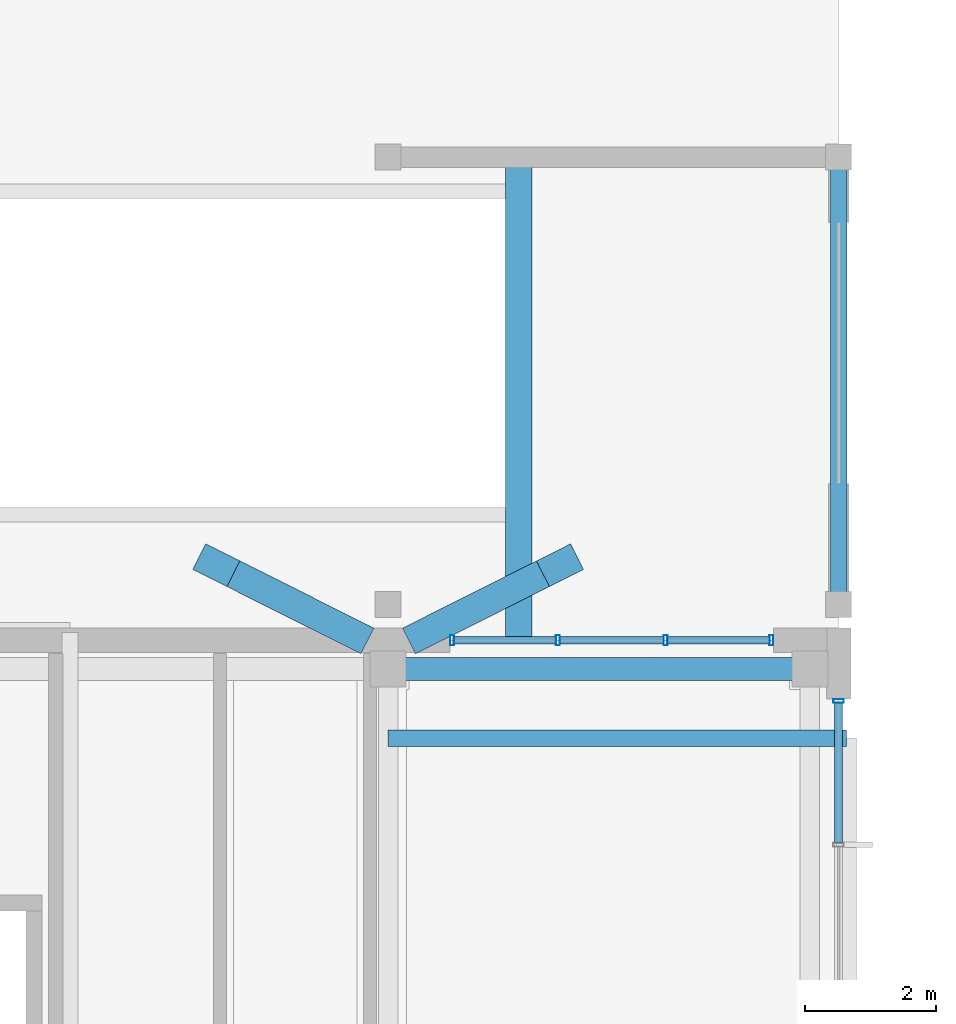
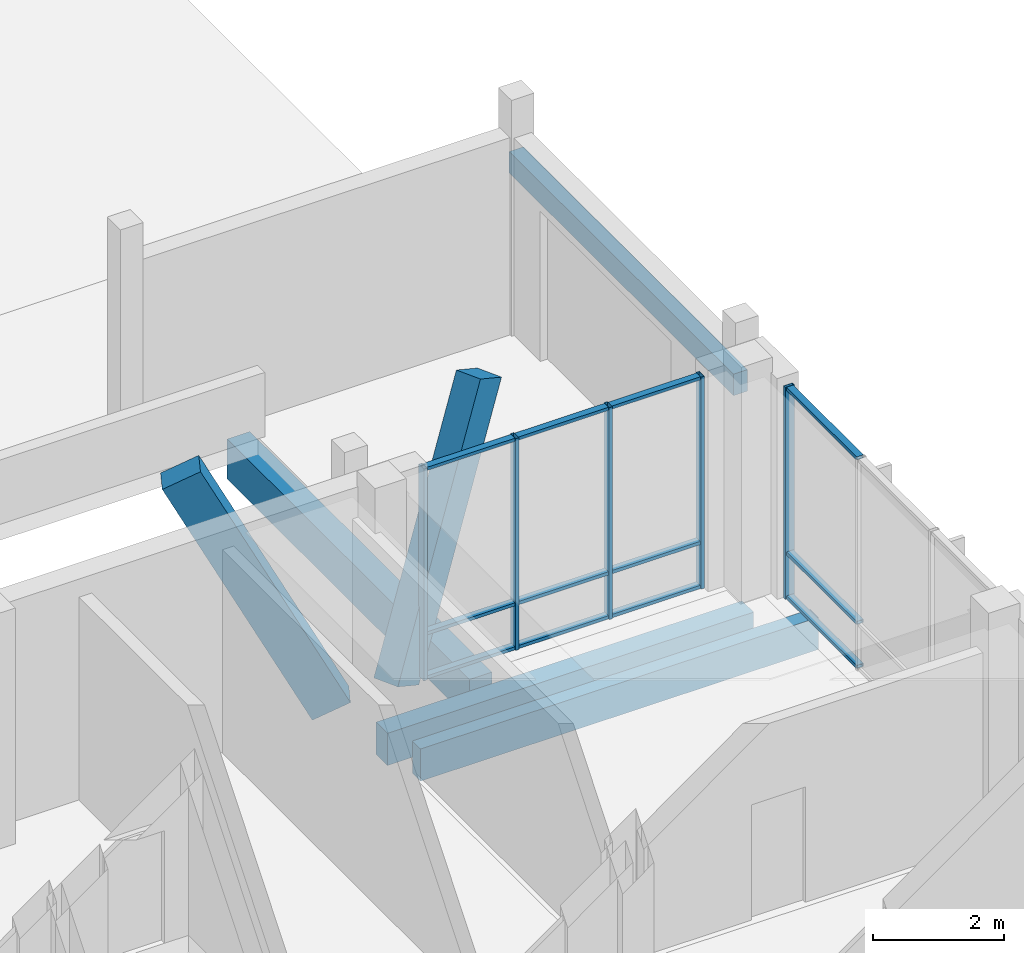
# One storey, part 148 of 233: 19 members, 4 beams, 2 elements without a shape of their own.
"""IFC4 building model written with IfcOpenShell, lengths in metres."""

from ifc_helpers import new_model, si_unit, direction, frame, origin, origin_2d, place, context, subcontext, project, spatial, rectangle, hollow_rectangle, extrude, material, material_profile, profile_set, type_object, element, aggregate, save


model = new_model("IFC4")

# Units and contexts
model_context = context("Model", 3, precision=1e-05, world=origin(), true_north=direction((0.0, 1.0)))
body_context = subcontext(model_context, "Body", "Model", "MODEL_VIEW")
ifc_project = project(units=[si_unit("LENGTHUNIT", "METRE"), si_unit("AREAUNIT", "SQUARE_METRE"), si_unit("VOLUMEUNIT", "CUBIC_METRE"), si_unit("PLANEANGLEUNIT", "RADIAN"), si_unit("MASSUNIT", "GRAM", prefix="KILO")], contexts=[model_context])

# Site, building, storey
site_placement = place(None, origin())
site = spatial("IfcSite", under=ifc_project, at=site_placement, CompositionType="ELEMENT")
building_placement = place(site_placement, origin())
building = spatial("IfcBuilding", under=site, at=building_placement, Name="Zavelmont Quarter", CompositionType="ELEMENT")
storey_placement = place(building_placement, origin())
storey = spatial("IfcBuildingStorey", under=building, at=storey_placement, Name="L00", CompositionType="ELEMENT", Elevation=0.0)

# Beams
ifc_material_1 = material(Name="Concrete C35/45", Category="concrete")
ifc_material_profile_1 = material_profile(ifc_material_1, rectangle(XDim=0.35009765625, YDim=0.60009765625, at=origin_2d()), Name="RC350X600")
ifc_profile_set_1 = profile_set([ifc_material_profile_1], Name="Concrete C35/45")
beam_type_1 = type_object("IfcBeamType", Name="BM01", PredefinedType="SPANDREL", material=ifc_profile_set_1)
beam_1_placement = place(storey_placement, frame((161.10009765625, 17.9599609375, -0.6201171875), z_axis=(1.0, 0.0, 0.0), x_axis=(0.0, 1.0, 0.0)))
element("IfcBeam", 1, at=beam_1_placement, inside=storey, type_object=beam_type_1, Name="L00 beam BM01 24/D to 25/D", PredefinedType="SPANDREL", context=body_context, shape_type="SweptSolid", body=[
    extrude(rectangle(XDim=0.35009765625, YDim=0.60009765625, at=origin_2d()), origin(), (0.0, 0.0, 1.0), 6.4599609375),
])
ifc_material_profile_2 = material_profile(ifc_material_1, rectangle(XDim=0.25, YDim=0.39990234375, at=origin_2d()), Name="RC250X400")
ifc_profile_set_2 = profile_set([ifc_material_profile_2], Name="Concrete C35/45")
beam_type_2 = type_object("IfcBeamType", Name="BM04", PredefinedType="LINTEL", material=ifc_profile_set_2)
beam_2_placement = place(storey_placement, frame((168.0, 18.949951171875, 3.10009765625), z_axis=(0.0, 1.0, 0.0), x_axis=(-1.0, 0.0, 0.0)))
element("IfcBeam", 2, at=beam_2_placement, inside=storey, type_object=beam_type_2, Name="L00 beam BM04 25/D to 25/E", PredefinedType="LINTEL", context=body_context, shape_type="SweptSolid", body=[
    extrude(rectangle(XDim=0.25, YDim=0.39990234375, at=origin_2d()), origin(), (0.0, 0.0, 1.0), 6.85009765625),
])
ifc_material_2 = material(Name="Concrete C40/50", Category="concrete")
ifc_material_profile_3 = material_profile(ifc_material_2, rectangle(XDim=0.39990234375, YDim=0.75, at=origin_2d()), Name="RC400X750")
ifc_profile_set_3 = profile_set([ifc_material_profile_3], Name="Concrete C40/50")
beam_type_3 = type_object("IfcBeamType", Name="BM05", PredefinedType="BEAM", material=ifc_profile_set_3)
beam_3_placement = place(storey_placement, frame((163.10009765625, 18.39990234375, -0.695068359375), z_axis=(0.0, 1.0, 0.0), x_axis=(-1.0, 0.0, 0.0)))
element("IfcBeam", 3, at=beam_3_placement, inside=storey, type_object=beam_type_3, Name="L00 beam BM05 24/D to 24/E", PredefinedType="BEAM", context=body_context, shape_type="SweptSolid", body=[
    extrude(rectangle(XDim=0.39990234375, YDim=0.75, at=origin_2d()), origin(), (0.0, 0.0, 1.0), 7.400146484375),
])
ifc_material_profile_4 = material_profile(ifc_material_2, rectangle(XDim=0.25, YDim=0.60009765625, at=origin_2d()), Name="RC250X600")
ifc_profile_set_4 = profile_set([ifc_material_profile_4], Name="Concrete C40/50")
beam_type_4 = type_object("IfcBeamType", Name="BM18", PredefinedType="BEAM", material=ifc_profile_set_4)
beam_4_placement = place(storey_placement, frame((161.10009765625, 16.89990234375, -0.300048828125), z_axis=(1.0, 0.0, 0.0), x_axis=(0.0, 1.0, 0.0)))
element("IfcBeam", 4, at=beam_4_placement, inside=storey, type_object=beam_type_4, Name="L00 beam BM18 24/D to 25/D", PredefinedType="BEAM", context=body_context, shape_type="SweptSolid", body=[
    extrude(rectangle(XDim=0.25, YDim=0.60009765625, at=origin_2d()), origin(), (0.0, 0.0, 1.0), 7.02001953125),
])

# Curtain wall, members
ifc_material_3 = material(Name="Thermally broken aluminium and double low-E safety glazing", Category="aluminium")
curtain_wall_type_1 = type_object("IfcCurtainWallType", Name="CW-495X395", PredefinedType="NOTDEFINED", material=ifc_material_3)
curtain_wall_1_placement = place(storey_placement, origin())
curtain_wall_1 = element("IfcCurtainWall", 5, at=curtain_wall_1_placement, inside=storey, type_object=curtain_wall_type_1, Name="L00 unitised curtain wall CW-495X395", PredefinedType="NOTDEFINED")
ifc_material_4 = material(Name="Powder-coated aluminium EN AW-6063-T6", Category="aluminium")
ifc_material_profile_5 = material_profile(ifc_material_4, hollow_rectangle(XDim=0.06005859375, YDim=0.159912109375, WallThickness=0.00390625, at=origin_2d()), Name="CWM60X160")
ifc_profile_set_5 = profile_set([ifc_material_profile_5], Name="Powder-coated aluminium EN AW-6063-T6")
member_type_1 = type_object("IfcMemberType", Name="CWM01", PredefinedType="MULLION", material=ifc_profile_set_5)
member_1_placement = place(storey_placement, frame((162.080078125, 18.39990234375, 0.0), z_axis=(0.0, 0.0, 1.0), x_axis=(1.0, 0.0, 0.0)))
member_1 = element("IfcMember", 6, at=member_1_placement, type_object=member_type_1, Name="CW-495X395 mullion 1", PredefinedType="MULLION", context=body_context, shape_type="SweptSolid", body=[
    extrude(hollow_rectangle(XDim=0.06005859375, YDim=0.159912109375, WallThickness=0.00390625, at=origin_2d()), origin(), (0.0, 0.0, 1.0), 3.949951171875),
])
member_2_placement = place(storey_placement, frame((163.699951171875, 18.39990234375, 0.0), z_axis=(0.0, 0.0, 1.0), x_axis=(1.0, 0.0, 0.0)))
member_2 = element("IfcMember", 7, at=member_2_placement, type_object=member_type_1, Name="CW-495X395 mullion 2", PredefinedType="MULLION", context=body_context, shape_type="SweptSolid", body=[
    extrude(hollow_rectangle(XDim=0.06005859375, YDim=0.159912109375, WallThickness=0.00390625, at=origin_2d()), origin(), (0.0, 0.0, 1.0), 3.949951171875),
])
member_3_placement = place(storey_placement, frame((165.35009765625, 18.39990234375, 0.0), z_axis=(0.0, 0.0, 1.0), x_axis=(1.0, 0.0, 0.0)))
member_3 = element("IfcMember", 8, at=member_3_placement, type_object=member_type_1, Name="CW-495X395 mullion 3", PredefinedType="MULLION", context=body_context, shape_type="SweptSolid", body=[
    extrude(hollow_rectangle(XDim=0.06005859375, YDim=0.159912109375, WallThickness=0.00390625, at=origin_2d()), origin(), (0.0, 0.0, 1.0), 3.949951171875),
])
member_4_placement = place(storey_placement, frame((166.969970703125, 18.39990234375, 0.0), z_axis=(0.0, 0.0, 1.0), x_axis=(1.0, 0.0, 0.0)))
member_4 = element("IfcMember", 9, at=member_4_placement, type_object=member_type_1, Name="CW-495X395 mullion 4", PredefinedType="MULLION", context=body_context, shape_type="SweptSolid", body=[
    extrude(hollow_rectangle(XDim=0.06005859375, YDim=0.159912109375, WallThickness=0.00390625, at=origin_2d()), origin(), (0.0, 0.0, 1.0), 3.949951171875),
])

# Curtain wall, member
curtain_wall_type_2 = type_object("IfcCurtainWallType", Name="CW-670X395", PredefinedType="NOTDEFINED", material=ifc_material_3)
curtain_wall_2_placement = place(storey_placement, origin())
curtain_wall_2 = element("IfcCurtainWall", 10, at=curtain_wall_2_placement, inside=storey, type_object=curtain_wall_type_2, Name="L00 unitised curtain wall CW-670X395", PredefinedType="NOTDEFINED")
member_5_placement = place(storey_placement, frame((168.0, 17.469970703125, 0.0), z_axis=(0.0, 0.0, 1.0), x_axis=(0.0, 1.0, 0.0)))
member_5 = element("IfcMember", 11, at=member_5_placement, type_object=member_type_1, Name="CW-670X395 mullion 4", PredefinedType="MULLION", context=body_context, shape_type="SweptSolid", body=[
    extrude(hollow_rectangle(XDim=0.06005859375, YDim=0.159912109375, WallThickness=0.00390625, at=origin_2d()), origin(), (0.0, 0.0, 1.0), 3.949951171875),
])

# Member
ifc_material_profile_6 = material_profile(ifc_material_4, hollow_rectangle(XDim=0.1201171875, YDim=0.06005859375, WallThickness=0.00390625, at=origin_2d()), Name="CWT60X120")
ifc_profile_set_6 = profile_set([ifc_material_profile_6], Name="Powder-coated aluminium EN AW-6063-T6")
member_type_2 = type_object("IfcMemberType", Name="CWT01", PredefinedType="NOTDEFINED", material=ifc_profile_set_6)
member_6_placement = place(storey_placement, frame((162.110107421875, 18.39990234375, 0.030029296875), z_axis=(1.0, 0.0, 0.0), x_axis=(0.0, 1.0, 0.0)))
member_6 = element("IfcMember", 12, at=member_6_placement, type_object=member_type_2, Name="CW-495X395 transom 1.1", ObjectType="TRANSOM", PredefinedType="USERDEFINED", context=body_context, shape_type="SweptSolid", body=[
    extrude(hollow_rectangle(XDim=0.1201171875, YDim=0.06005859375, WallThickness=0.00390625, at=origin_2d()), origin(), (0.0, 0.0, 1.0), 1.559814453125),
])

member_7_placement = place(storey_placement, frame((162.110107421875, 18.39990234375, 0.85009765625), z_axis=(1.0, 0.0, 0.0), x_axis=(0.0, 1.0, 0.0)))
member_7 = element("IfcMember", 13, at=member_7_placement, type_object=member_type_2, Name="CW-495X395 transom 1.2", ObjectType="TRANSOM", PredefinedType="USERDEFINED", context=body_context, shape_type="SweptSolid", body=[
    extrude(hollow_rectangle(XDim=0.1201171875, YDim=0.06005859375, WallThickness=0.00390625, at=origin_2d()), origin(), (0.0, 0.0, 1.0), 1.559814453125),
])

member_8_placement = place(storey_placement, frame((162.110107421875, 18.39990234375, 3.919921875), z_axis=(1.0, 0.0, 0.0), x_axis=(0.0, 1.0, 0.0)))
member_8 = element("IfcMember", 14, at=member_8_placement, type_object=member_type_2, Name="CW-495X395 transom 1.3", ObjectType="TRANSOM", PredefinedType="USERDEFINED", context=body_context, shape_type="SweptSolid", body=[
    extrude(hollow_rectangle(XDim=0.1201171875, YDim=0.06005859375, WallThickness=0.00390625, at=origin_2d()), origin(), (0.0, 0.0, 1.0), 1.559814453125),
])

member_9_placement = place(storey_placement, frame((163.72998046875, 18.39990234375, 0.030029296875), z_axis=(1.0, 0.0, 0.0), x_axis=(0.0, 1.0, 0.0)))
member_9 = element("IfcMember", 15, at=member_9_placement, type_object=member_type_2, Name="CW-495X395 transom 2.1", ObjectType="TRANSOM", PredefinedType="USERDEFINED", context=body_context, shape_type="SweptSolid", body=[
    extrude(hollow_rectangle(XDim=0.1201171875, YDim=0.06005859375, WallThickness=0.00390625, at=origin_2d()), origin(), (0.0, 0.0, 1.0), 1.590087890625),
])

member_10_placement = place(storey_placement, frame((163.72998046875, 18.39990234375, 0.85009765625), z_axis=(1.0, 0.0, 0.0), x_axis=(0.0, 1.0, 0.0)))
member_10 = element("IfcMember", 16, at=member_10_placement, type_object=member_type_2, Name="CW-495X395 transom 2.2", ObjectType="TRANSOM", PredefinedType="USERDEFINED", context=body_context, shape_type="SweptSolid", body=[
    extrude(hollow_rectangle(XDim=0.1201171875, YDim=0.06005859375, WallThickness=0.00390625, at=origin_2d()), origin(), (0.0, 0.0, 1.0), 1.590087890625),
])

member_11_placement = place(storey_placement, frame((163.72998046875, 18.39990234375, 3.919921875), z_axis=(1.0, 0.0, 0.0), x_axis=(0.0, 1.0, 0.0)))
member_11 = element("IfcMember", 17, at=member_11_placement, type_object=member_type_2, Name="CW-495X395 transom 2.3", ObjectType="TRANSOM", PredefinedType="USERDEFINED", context=body_context, shape_type="SweptSolid", body=[
    extrude(hollow_rectangle(XDim=0.1201171875, YDim=0.06005859375, WallThickness=0.00390625, at=origin_2d()), origin(), (0.0, 0.0, 1.0), 1.590087890625),
])

member_12_placement = place(storey_placement, frame((165.3798828125, 18.39990234375, 0.030029296875), z_axis=(1.0, 0.0, 0.0), x_axis=(0.0, 1.0, 0.0)))
member_12 = element("IfcMember", 18, at=member_12_placement, type_object=member_type_2, Name="CW-495X395 transom 3.1", ObjectType="TRANSOM", PredefinedType="USERDEFINED", context=body_context, shape_type="SweptSolid", body=[
    extrude(hollow_rectangle(XDim=0.1201171875, YDim=0.06005859375, WallThickness=0.00390625, at=origin_2d()), origin(), (0.0, 0.0, 1.0), 1.56005859375),
])

member_13_placement = place(storey_placement, frame((165.3798828125, 18.39990234375, 0.85009765625), z_axis=(1.0, 0.0, 0.0), x_axis=(0.0, 1.0, 0.0)))
member_13 = element("IfcMember", 19, at=member_13_placement, type_object=member_type_2, Name="CW-495X395 transom 3.2", ObjectType="TRANSOM", PredefinedType="USERDEFINED", context=body_context, shape_type="SweptSolid", body=[
    extrude(hollow_rectangle(XDim=0.1201171875, YDim=0.06005859375, WallThickness=0.00390625, at=origin_2d()), origin(), (0.0, 0.0, 1.0), 1.56005859375),
])

member_14_placement = place(storey_placement, frame((165.3798828125, 18.39990234375, 3.919921875), z_axis=(1.0, 0.0, 0.0), x_axis=(0.0, 1.0, 0.0)))
member_14 = element("IfcMember", 20, at=member_14_placement, type_object=member_type_2, Name="CW-495X395 transom 3.3", ObjectType="TRANSOM", PredefinedType="USERDEFINED", context=body_context, shape_type="SweptSolid", body=[
    extrude(hollow_rectangle(XDim=0.1201171875, YDim=0.06005859375, WallThickness=0.00390625, at=origin_2d()), origin(), (0.0, 0.0, 1.0), 1.56005859375),
])

aggregate(curtain_wall_1, [member_1, member_2, member_3, member_4, member_6, member_7, member_8, member_9, member_10, member_11, member_12, member_13, member_14])

member_15_placement = place(storey_placement, frame((168.0, 15.296630859375, 0.030029296875), z_axis=(0.0, 1.0, 0.0), x_axis=(-1.0, 0.0, 0.0)))
member_15 = element("IfcMember", 21, at=member_15_placement, type_object=member_type_2, Name="CW-670X395 transom 3.1", ObjectType="TRANSOM", PredefinedType="USERDEFINED", context=body_context, shape_type="SweptSolid", body=[
    extrude(hollow_rectangle(XDim=0.1201171875, YDim=0.06005859375, WallThickness=0.00390625, at=origin_2d()), origin(), (0.0, 0.0, 1.0), 2.143310546875),
])

member_16_placement = place(storey_placement, frame((168.0, 15.296630859375, 0.85009765625), z_axis=(0.0, 1.0, 0.0), x_axis=(-1.0, 0.0, 0.0)))
member_16 = element("IfcMember", 22, at=member_16_placement, type_object=member_type_2, Name="CW-670X395 transom 3.2", ObjectType="TRANSOM", PredefinedType="USERDEFINED", context=body_context, shape_type="SweptSolid", body=[
    extrude(hollow_rectangle(XDim=0.1201171875, YDim=0.06005859375, WallThickness=0.00390625, at=origin_2d()), origin(), (0.0, 0.0, 1.0), 2.143310546875),
])

member_17_placement = place(storey_placement, frame((168.0, 15.296630859375, 3.919921875), z_axis=(0.0, 1.0, 0.0), x_axis=(-1.0, 0.0, 0.0)))
member_17 = element("IfcMember", 23, at=member_17_placement, type_object=member_type_2, Name="CW-670X395 transom 3.3", ObjectType="TRANSOM", PredefinedType="USERDEFINED", context=body_context, shape_type="SweptSolid", body=[
    extrude(hollow_rectangle(XDim=0.1201171875, YDim=0.06005859375, WallThickness=0.00390625, at=origin_2d()), origin(), (0.0, 0.0, 1.0), 2.143310546875),
])

aggregate(curtain_wall_2, [member_5, member_15, member_16, member_17])

# Members
ifc_material_5 = material(Name="White architectural precast concrete C40/50", Category="concrete")
ifc_material_profile_7 = material_profile(ifc_material_5, rectangle(XDim=0.43994140625, YDim=0.659912109375, at=origin_2d()), Name="PCR320X480")
ifc_profile_set_7 = profile_set([ifc_material_profile_7], Name="White architectural precast concrete C40/50")
member_type_3 = type_object("IfcMemberType", Name="VR01M", PredefinedType="CHORD", material=ifc_profile_set_7)
for number, where, z_axis, x_axis, name in (
    (24, (160.52001953125, 18.52001953125, 0.0), (-0.41358699911, 0.207531345058, 0.886496776636), (-0.448488766465, -0.893788468461, 0.0), "L00 member VR01M 24/D to 24/D"),
    (25, (161.679931640625, 18.52001953125, 0.0), (0.41358699911, 0.207531345058, 0.886496776636), (-0.448488766465, 0.893788468461, 0.0), "L00 member VR01M 24/D to 24/D"),
):
    element("IfcMember", number, at=place(storey_placement, frame(where, z_axis=z_axis, x_axis=x_axis)), inside=storey, type_object=member_type_3, Name=name, PredefinedType="CHORD", context=body_context, shape_type="SweptSolid", body=[
        extrude(rectangle(XDim=0.43994140625, YDim=0.659912109375, at=origin_2d()), origin(), (0.0, 0.0, 1.0), 4.963134765625),
    ])

save(model, "model.ifc")
